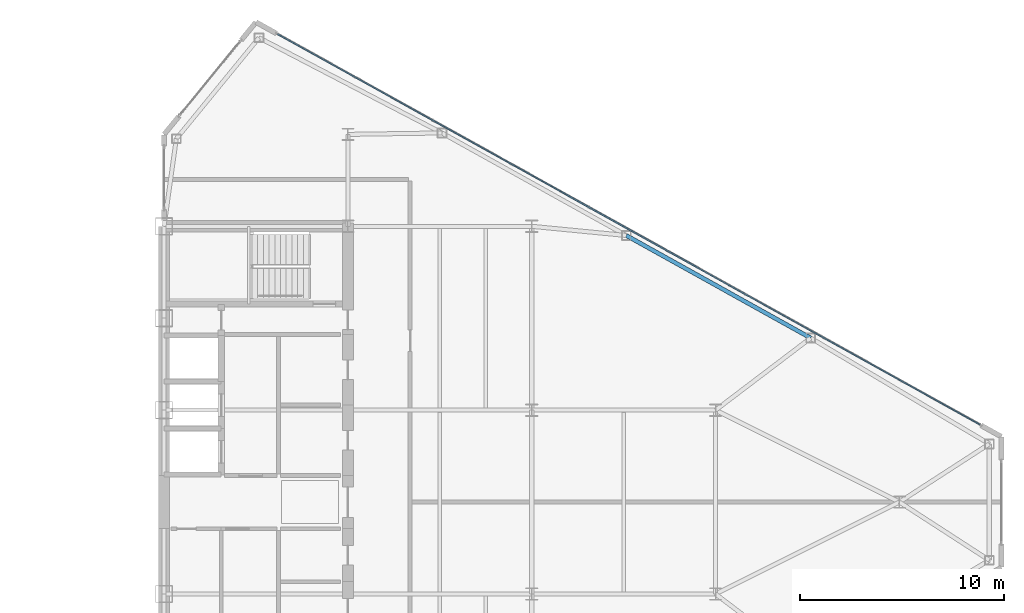
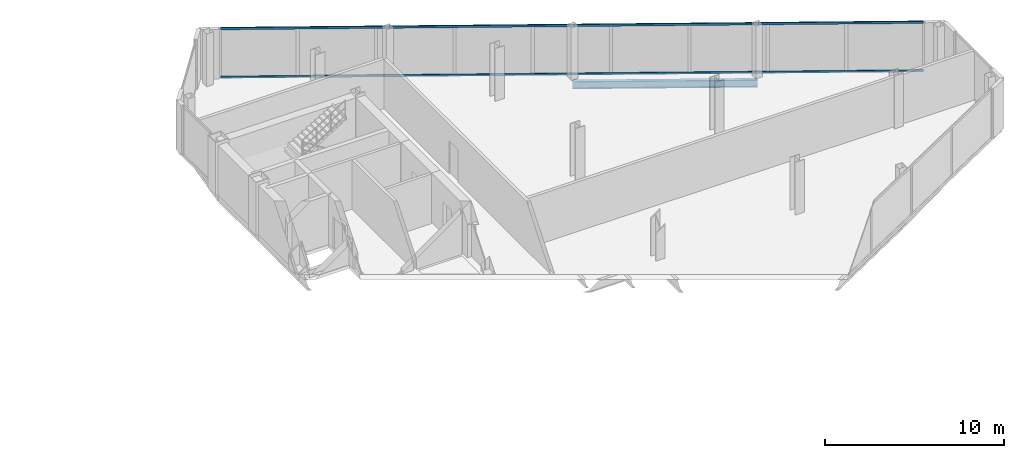
# One storey, part 16 of 26: 2 members, 1 beam, 1 element without a shape of its own.
"""IFC4 building model written with IfcOpenShell, lengths in metres."""

from ifc_helpers import new_model, si_unit, direction, frame, origin, origin_2d, place, context, subcontext, project, spatial, rectangle, i_section, extrude, source, transform, mapped, material, layer, layer_set, material_profile, profile_set, type_object, type_shapes, element, aggregate, save


model = new_model("IFC4")

# Units and contexts
model_context = context("Model", 3, precision=1e-05, world=origin(), true_north=direction((0.0, 1.0)))
body_context = subcontext(model_context, "Body", "Model", "MODEL_VIEW")
ifc_project = project(units=[si_unit("LENGTHUNIT", "METRE"), si_unit("AREAUNIT", "SQUARE_METRE"), si_unit("VOLUMEUNIT", "CUBIC_METRE"), si_unit("PLANEANGLEUNIT", "RADIAN"), si_unit("MASSUNIT", "GRAM", prefix="KILO")], contexts=[model_context])

# Site, building, storey
site_placement = place(None, origin())
site = spatial("IfcSite", under=ifc_project, at=site_placement, CompositionType="ELEMENT")
building_placement = place(site_placement, origin())
building = spatial("IfcBuilding", under=site, at=building_placement, Name="Seokmaru Belvedere", CompositionType="ELEMENT")
storey_placement = place(building_placement, frame((0.0, 0.0, 177.89990234375)))
storey = spatial("IfcBuildingStorey", under=building, at=storey_placement, Name="L47", CompositionType="ELEMENT", Elevation=177.89990234375)

# Beam
ifc_material_1 = material(Name="Steel SM355 (355 MPa)", Category="steel")
ifc_material_profile_1 = material_profile(ifc_material_1, i_section(OverallWidth=0.199951171875, OverallDepth=0.5, WebThickness=0.010009765625, FlangeThickness=0.01611328125, at=origin_2d()), Name="H-500x200x10x16")
ifc_profile_set_1 = profile_set([ifc_material_profile_1], Name="Steel SM355 (355 MPa)")
beam_type = type_object("IfcBeamType", Name="Perimeter Spandrel Beam H-500", PredefinedType="SPANDREL", material=ifc_profile_set_1)
shared_shape_1 = source(origin(), body_context, "Body", "SweptSolid", [
    extrude(i_section(OverallWidth=0.199951171875, OverallDepth=0.5, WebThickness=0.010009765625, FlangeThickness=0.01611328125, at=origin_2d()), origin(), (0.0, 0.0, 1.0), 10.327392578125),
])
type_shapes(beam_type, [shared_shape_1])
beam_placement = place(storey_placement, frame((50.129150390625, 13.051025390625, -0.469970703125), z_axis=(0.873934162361, -0.48604431882, 0.0), x_axis=(0.48604431882, 0.873934162361, 0.0)))
element("IfcBeam", 1, at=beam_placement, inside=storey, type_object=beam_type, Name="L47 E Faceted Flank Spandrel N-3", PredefinedType="SPANDREL", context=body_context, shape_type="MappedRepresentation", body=[
    mapped(shared_shape_1, transform((0.0, 0.0, 0.0), scale=1.0)),
])

# Curtain wall, members
ifc_material_2 = material(Name="Bronze Triple Insulating Glass", Category="glass")
ifc_layer = layer(ifc_material_2, 0.179931640625)
ifc_layer_set = layer_set([ifc_layer], Name="Bronze Triple Insulating Glass")
curtain_wall_type = type_object("IfcCurtainWallType", Name="High-Rise Wind-Corner Curtain Wall System CW-5", PredefinedType="NOTDEFINED", material=ifc_layer_set)
curtain_wall_placement = place(storey_placement, origin())
curtain_wall = element("IfcCurtainWall", 2, at=curtain_wall_placement, inside=storey, type_object=curtain_wall_type, Name="L47 Curtain Wall EF3", PredefinedType="NOTDEFINED")
ifc_material_3 = material(Name="Anodised Bronze Aluminium", Category="aluminium")
ifc_material_profile_2 = material_profile(ifc_material_3, rectangle(XDim=0.06494140625, YDim=0.14990234375, at=origin_2d()), Name="CW-T-65x150")
ifc_profile_set_2 = profile_set([ifc_material_profile_2], Name="Anodised Bronze Aluminium")
member_type = type_object("IfcMemberType", Name="Bronze Unitised Transom 65x150", PredefinedType="USERDEFINED", material=ifc_profile_set_2)
shared_shape_2 = source(origin(), body_context, "Body", "SweptSolid", [
    extrude(rectangle(XDim=0.06494140625, YDim=0.14990234375, at=origin_2d()), origin(), (0.0, 0.0, 1.0), 39.33544921875),
])
type_shapes(member_type, [shared_shape_2])
member_1_placement = place(storey_placement, frame((67.438232421875, 3.79052734375, 0.03271484375), z_axis=(-0.873932045133, 0.486048125693, 0.0), x_axis=(-0.486048125693, -0.873932045133, 0.0)))
member_1 = element("IfcMember", 3, at=member_1_placement, type_object=member_type, Name="CW:L47:EF3 Continuous Transom 1", ObjectType="TRANSOM", PredefinedType="USERDEFINED", context=body_context, shape_type="MappedRepresentation", body=[
    mapped(shared_shape_2, transform((0.0, 0.0, 0.0), scale=1.0)),
])
member_2_placement = place(storey_placement, frame((67.438232421875, 3.79052734375, 3.34765625), z_axis=(-0.873932045133, 0.486048125693, 0.0), x_axis=(-0.486048125693, -0.873932045133, 0.0)))
member_2 = element("IfcMember", 4, at=member_2_placement, type_object=member_type, Name="CW:L47:EF3 Continuous Transom 2", ObjectType="TRANSOM", PredefinedType="USERDEFINED", context=body_context, shape_type="MappedRepresentation", body=[
    mapped(shared_shape_2, transform((0.0, 0.0, 0.0), scale=1.0)),
])
aggregate(curtain_wall, [member_1, member_2])

save(model, "model.ifc")
